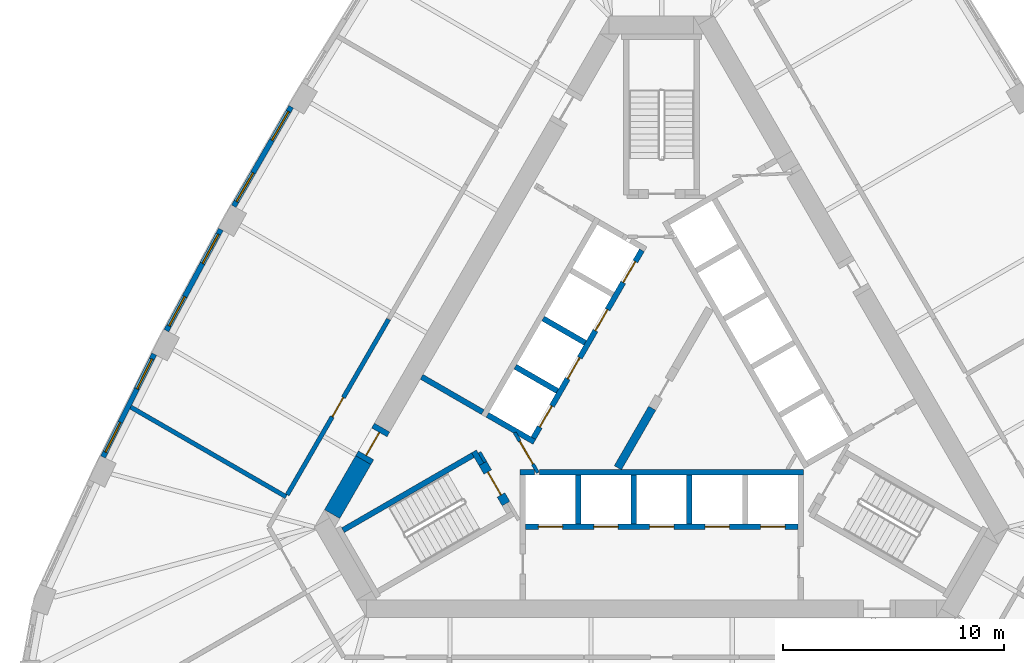
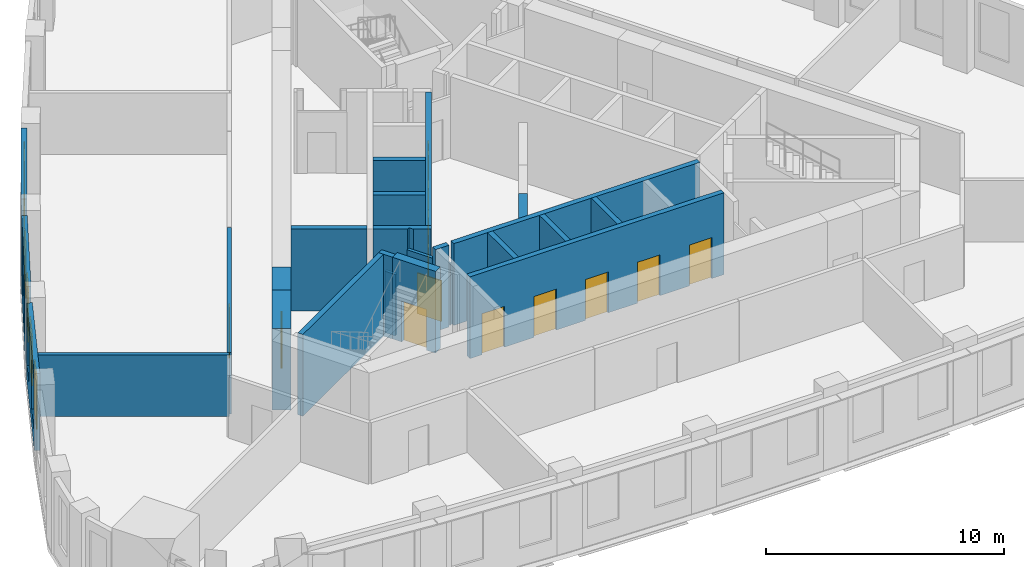
# One storey, part 4 of 9: 24 walls, 13 doors, 6 windows, 19 openings.
"""IFC4 building model written with IfcOpenShell, lengths in metres."""

from ifc_helpers import new_model, si_unit, direction, frame, frame_2d, origin, place, context, subcontext, project, spatial, polyline, rectangle, outline, extrude, material, layer, layer_set, type_object, element, fill, save


model = new_model("IFC4")

# Units and contexts
model_context = context("Model", 3, precision=1e-05, world=origin(), true_north=direction((0.0, 1.0)))
body_context = subcontext(model_context, "Body", "Model", "MODEL_VIEW")
ifc_project = project(units=[si_unit("LENGTHUNIT", "METRE"), si_unit("AREAUNIT", "SQUARE_METRE"), si_unit("VOLUMEUNIT", "CUBIC_METRE"), si_unit("PLANEANGLEUNIT", "RADIAN"), si_unit("MASSUNIT", "GRAM", prefix="KILO")], contexts=[model_context])

# Site, building, storey
site_placement = place(None, origin())
site = spatial("IfcSite", under=ifc_project, at=site_placement, CompositionType="ELEMENT")
building_placement = place(site_placement, origin())
building = spatial("IfcBuilding", under=site, at=building_placement, Name="Mestral Congress Tower", CompositionType="ELEMENT")
storey_placement = place(building_placement, frame((0.0, 0.0, 179.39990234375)))
storey = spatial("IfcBuildingStorey", under=building, at=storey_placement, Name="L42", CompositionType="ELEMENT", Elevation=179.39990234375)

# Walls
ifc_material_1 = material(Name="Fire-rated board partition")
ifc_layer_1 = layer(ifc_material_1, 0.14990234375)
ifc_layer_set_1 = layer_set([ifc_layer_1], Name="Fire-rated board partition")
wall_type_1 = type_object("IfcWallType", Name="Core partition 150", PredefinedType="PARTITIONING", material=ifc_layer_set_1)
wall_1_placement = place(storey_placement, frame((-8.251953125, -2.958251953125, 0.0), z_axis=(0.0, 0.0, 1.0), x_axis=(0.500174715838, -0.865924508047, 0.0)))
element("IfcWall", 1, at=wall_1_placement, inside=storey, type_object=wall_type_1, Name="L42 core wall", PredefinedType="PARTITIONING", context=body_context, shape_type="SweptSolid", body=[
    extrude(rectangle(XDim=0.513916015625, YDim=0.14990234375, at=frame_2d((0.2568359375, 0.0))), origin(), (0.0, 0.0, 1.0), 3.150146484375),
])
placement = place(storey_placement, origin())
element("IfcWall", 2, at=placement, inside=storey, type_object=wall_type_1, Name="L42 core wall", PredefinedType="PARTITIONING", context=body_context, shape_type="SweptSolid", body=[
    extrude(outline(polyline([(-0.590087890625, -0.871826171875), (-0.26513671875, -1.059326171875), (-1.822021484375, -3.755615234375), (-2.146728515625, -3.568115234375), (-0.590087890625, -0.871826171875)])), origin(), (0.0, 0.0, 1.0), 3.150146484375),
])

# Wall, opening, door
wall_3_placement = place(storey_placement, frame((-5.606201171875, -3.8896484375, 0.0), z_axis=(0.0, 0.0, 1.0), x_axis=(-0.500027713859, 0.866009402589, 0.0)))
wall_3 = element("IfcWall", 3, at=wall_3_placement, inside=storey, type_object=wall_type_1, Name="L42 door wall", PredefinedType="PARTITIONING", context=body_context, shape_type="SweptSolid", body=[
    extrude(rectangle(XDim=2.10009765625, YDim=0.14990234375, at=frame_2d((1.050048828125, 0.0))), origin(), (0.0, 0.0, 1.0), 3.150146484375),
])
opening_1_placement = place(wall_3_placement, frame((0.449951171875, 0.0, 0.0)))
opening_1 = element("IfcOpeningElement", 4, at=opening_1_placement, cuts=wall_3, Name="Opening CD3-FF", PredefinedType="OPENING", context=body_context, shape_type="SweptSolid", body=[
    extrude(rectangle(XDim=1.199951171875, YDim=2.10009765625, at=frame_2d((0.60009765625, 1.050048828125))), frame((0.0, 0.0849609375, 0.0), z_axis=(0.0, -1.0, 0.0), x_axis=(1.0, 0.0, 0.0)), (0.0, 0.0, 1.0), 0.169921875),
])
ifc_material_2 = material(Name="Fire-rated steel door set", Category="steel")
door_type_1 = type_object("IfcDoorType", Name="Core door CD 1200x2100", OperationType="SINGLE_SWING_LEFT", PredefinedType="DOOR", material=ifc_material_2)
door_1_placement = place(opening_1_placement, origin())
door_1 = element("IfcDoor", 5, at=door_1_placement, inside=storey, type_object=door_type_1, Name="Door CD3-FF", OperationType="SINGLE_SWING_LEFT", OverallHeight=2.10009765625, OverallWidth=1.199951171875, PredefinedType="DOOR", context=body_context, shape_type="SweptSolid", body=[
    extrude(rectangle(XDim=1.199951171875, YDim=2.10009765625, at=frame_2d((0.60009765625, 1.050048828125))), frame((0.0, 0.02490234375, 0.0), z_axis=(0.0, -1.0, 0.0), x_axis=(1.0, 0.0, 0.0)), (0.0, 0.0, 1.0), 0.050048828125),
])
fill(opening_1, door_1)

# Wall
ifc_material_3 = material(Name="Concrete C60/75", Category="concrete")
ifc_layer_2 = layer(ifc_material_3, 0.800048828125)
ifc_layer_set_2 = layer_set([ifc_layer_2], Name="Concrete C60/75")
wall_type_2 = type_object("IfcWallType", Name="Core wall RC 800", PredefinedType="SOLIDWALL", material=ifc_layer_set_2)
wall_4_placement = place(storey_placement, frame((-13.518310546875, -3.314208984375, 0.0), z_axis=(0.0, 0.0, 1.0), x_axis=(-0.499969377405, -0.866043083026, 0.0)))
element("IfcWall", 6, at=wall_4_placement, inside=storey, type_object=wall_type_2, Name="L42 core wall", PredefinedType="SOLIDWALL", context=body_context, shape_type="SweptSolid", body=[
    extrude(rectangle(XDim=2.824462890625, YDim=0.800048828125, at=frame_2d((1.412109375, 0.0))), origin(), (0.0, 0.0, 1.0), 4.2001953125),
])

# Wall, opening, door
wall_5_placement = place(storey_placement, frame((-13.518310546875, -3.314208984375, 0.0), z_axis=(0.0, 0.0, 1.0), x_axis=(0.500000056704, 0.866025371046, 0.0)))
wall_5 = element("IfcWall", 7, at=wall_5_placement, inside=storey, type_object=wall_type_2, Name="L42 door wall", PredefinedType="SOLIDWALL", context=body_context, shape_type="SweptSolid", body=[
    extrude(rectangle(XDim=1.7001953125, YDim=0.800048828125, at=frame_2d((0.85009765625, 0.0))), origin(), (0.0, 0.0, 1.0), 4.2001953125),
])
opening_2_placement = place(wall_5_placement, frame((0.25, 0.0, 0.0)))
opening_2 = element("IfcOpeningElement", 8, at=opening_2_placement, cuts=wall_5, Name="Opening XD3", PredefinedType="OPENING", context=body_context, shape_type="SweptSolid", body=[
    extrude(rectangle(XDim=1.199951171875, YDim=2.10009765625, at=frame_2d((0.60009765625, 1.050048828125))), frame((0.0, 0.409912109375, 0.0), z_axis=(0.0, -1.0, 0.0), x_axis=(1.0, 0.0, 0.0)), (0.0, 0.0, 1.0), 0.820068359375),
])
door_type_2 = type_object("IfcDoorType", Name="Core door XD 1200x2100", OperationType="SINGLE_SWING_LEFT", PredefinedType="DOOR", material=ifc_material_2)
door_2_placement = place(opening_2_placement, origin())
door_2 = element("IfcDoor", 9, at=door_2_placement, inside=storey, type_object=door_type_2, Name="Door XD3", OperationType="SINGLE_SWING_LEFT", OverallHeight=2.10009765625, OverallWidth=1.199951171875, PredefinedType="DOOR", context=body_context, shape_type="SweptSolid", body=[
    extrude(rectangle(XDim=1.199951171875, YDim=2.10009765625, at=frame_2d((0.60009765625, 1.050048828125))), frame((0.0, 0.02490234375, 0.0), z_axis=(0.0, -1.0, 0.0), x_axis=(1.0, 0.0, 0.0)), (0.0, 0.0, 1.0), 0.050048828125),
])
fill(opening_2, door_2)

# Wall, openings, windows
ifc_material_4 = material(Name="Precast concrete C40/50 with limestone facing", Category="masonry")
ifc_layer_3 = layer(ifc_material_4, 0.239990234375)
ifc_layer_set_3 = layer_set([ifc_layer_3], Name="Precast concrete C40/50 with limestone facing")
wall_type_3 = type_object("IfcWallType", Name="Facade stone wall 240", PredefinedType="SOLIDWALL", material=ifc_layer_set_3)
wall_6_placement = place(storey_placement, frame((-16.788818359375, 12.697265625, 0.0), z_axis=(0.0, 0.0, 1.0), x_axis=(-0.500009456303, -0.866019944116, 0.0)))
wall_6 = element("IfcWall", 10, at=wall_6_placement, inside=storey, type_object=wall_type_3, Name="Facade wall F2-03", PredefinedType="SOLIDWALL", context=body_context, shape_type="SweptSolid", body=[
    extrude(rectangle(XDim=5.20361328125, YDim=0.239990234375, at=frame_2d((2.601806640625, 0.0))), origin(), (0.0, 0.0, 1.0), 3.9501953125),
])
opening_3_placement = place(wall_6_placement, frame((0.248291015625, 0.0, 0.89990234375)))
opening_3 = element("IfcOpeningElement", 11, at=opening_3_placement, cuts=wall_6, Name="Opening W4", PredefinedType="OPENING", context=body_context, shape_type="SweptSolid", body=[
    extrude(rectangle(XDim=1.5, YDim=2.550048828125, at=frame_2d((0.75, 1.27490234375))), frame((0.0, 0.1298828125, 0.0), z_axis=(0.0, -1.0, 0.0), x_axis=(1.0, 0.0, 0.0)), (0.0, 0.0, 1.0), 0.260009765625),
])
opening_4_placement = place(wall_6_placement, frame((3.455078125, 0.0, 0.89990234375)))
opening_4 = element("IfcOpeningElement", 12, at=opening_4_placement, cuts=wall_6, Name="Opening W4", PredefinedType="OPENING", context=body_context, shape_type="SweptSolid", body=[
    extrude(rectangle(XDim=1.5, YDim=2.550048828125, at=frame_2d((0.75, 1.27490234375))), frame((0.0, 0.1298828125, 0.0), z_axis=(0.0, -1.0, 0.0), x_axis=(1.0, 0.0, 0.0)), (0.0, 0.0, 1.0), 0.260009765625),
])
ifc_material_5 = material(Name="Clear low-emissivity double glazing", Category="glass")
window_type = type_object("IfcWindowType", Name="Facade punched window 1500 x 2550 sill 900", PartitioningType="SINGLE_PANEL", PredefinedType="WINDOW", material=ifc_material_5)
window_1_placement = place(opening_3_placement, origin())
window_1 = element("IfcWindow", 13, at=window_1_placement, inside=storey, type_object=window_type, Name="Window F2-03a", OverallHeight=2.550048828125, OverallWidth=1.5, PartitioningType="SINGLE_PANEL", PredefinedType="WINDOW", context=body_context, shape_type="SweptSolid", body=[
    extrude(rectangle(XDim=1.5, YDim=2.550048828125, at=frame_2d((0.75, 1.27490234375))), frame((0.0, 0.0400390625, 0.0), z_axis=(0.0, -1.0, 0.0), x_axis=(1.0, 0.0, 0.0)), (0.0, 0.0, 1.0), 0.06005859375),
])
fill(opening_3, window_1)
window_2_placement = place(opening_4_placement, origin())
window_2 = element("IfcWindow", 14, at=window_2_placement, inside=storey, type_object=window_type, Name="Window F2-03b", OverallHeight=2.550048828125, OverallWidth=1.5, PartitioningType="SINGLE_PANEL", PredefinedType="WINDOW", context=body_context, shape_type="SweptSolid", body=[
    extrude(rectangle(XDim=1.5, YDim=2.550048828125, at=frame_2d((0.75, 1.27490234375))), frame((0.0, 0.0400390625, 0.0), z_axis=(0.0, -1.0, 0.0), x_axis=(1.0, 0.0, 0.0)), (0.0, 0.0, 1.0), 0.06005859375),
])
fill(opening_4, window_2)

wall_7_placement = place(storey_placement, frame((-19.976806640625, 7.138671875, 0.0), z_axis=(0.0, 0.0, 1.0), x_axis=(-0.473349833294, -0.880874528704, 0.0)))
wall_7 = element("IfcWall", 15, at=wall_7_placement, inside=storey, type_object=wall_type_3, Name="Facade wall F2-04", PredefinedType="SOLIDWALL", context=body_context, shape_type="SweptSolid", body=[
    extrude(rectangle(XDim=5.20361328125, YDim=0.239990234375, at=frame_2d((2.601806640625, 0.0))), origin(), (0.0, 0.0, 1.0), 3.9501953125),
])
opening_5_placement = place(wall_7_placement, frame((0.248291015625, 0.0, 0.89990234375)))
opening_5 = element("IfcOpeningElement", 16, at=opening_5_placement, cuts=wall_7, Name="Opening W4", PredefinedType="OPENING", context=body_context, shape_type="SweptSolid", body=[
    extrude(rectangle(XDim=1.5, YDim=2.550048828125, at=frame_2d((0.75, 1.27490234375))), frame((0.0, 0.1298828125, 0.0), z_axis=(0.0, -1.0, 0.0), x_axis=(1.0, 0.0, 0.0)), (0.0, 0.0, 1.0), 0.260009765625),
])
opening_6_placement = place(wall_7_placement, frame((3.455078125, 0.0, 0.89990234375)))
opening_6 = element("IfcOpeningElement", 17, at=opening_6_placement, cuts=wall_7, Name="Opening W4", PredefinedType="OPENING", context=body_context, shape_type="SweptSolid", body=[
    extrude(rectangle(XDim=1.5, YDim=2.550048828125, at=frame_2d((0.75, 1.27490234375))), frame((0.0, 0.1298828125, 0.0), z_axis=(0.0, -1.0, 0.0), x_axis=(1.0, 0.0, 0.0)), (0.0, 0.0, 1.0), 0.260009765625),
])
window_3_placement = place(opening_5_placement, origin())
window_3 = element("IfcWindow", 18, at=window_3_placement, inside=storey, type_object=window_type, Name="Window F2-04a", OverallHeight=2.550048828125, OverallWidth=1.5, PartitioningType="SINGLE_PANEL", PredefinedType="WINDOW", context=body_context, shape_type="SweptSolid", body=[
    extrude(rectangle(XDim=1.5, YDim=2.550048828125, at=frame_2d((0.75, 1.27490234375))), frame((0.0, 0.0400390625, 0.0), z_axis=(0.0, -1.0, 0.0), x_axis=(1.0, 0.0, 0.0)), (0.0, 0.0, 1.0), 0.06005859375),
])
fill(opening_5, window_3)
window_4_placement = place(opening_6_placement, origin())
window_4 = element("IfcWindow", 19, at=window_4_placement, inside=storey, type_object=window_type, Name="Window F2-04b", OverallHeight=2.550048828125, OverallWidth=1.5, PartitioningType="SINGLE_PANEL", PredefinedType="WINDOW", context=body_context, shape_type="SweptSolid", body=[
    extrude(rectangle(XDim=1.5, YDim=2.550048828125, at=frame_2d((0.75, 1.27490234375))), frame((0.0, 0.0400390625, 0.0), z_axis=(0.0, -1.0, 0.0), x_axis=(1.0, 0.0, 0.0)), (0.0, 0.0, 1.0), 0.06005859375),
])
fill(opening_6, window_4)

wall_8_placement = place(storey_placement, frame((-22.993896484375, 1.485107421875, 0.0), z_axis=(0.0, 0.0, 1.0), x_axis=(-0.446256171312, -0.8949052629, 0.0)))
wall_8 = element("IfcWall", 20, at=wall_8_placement, inside=storey, type_object=wall_type_3, Name="Facade wall F2-05", PredefinedType="SOLIDWALL", context=body_context, shape_type="SweptSolid", body=[
    extrude(rectangle(XDim=5.203369140625, YDim=0.239990234375, at=frame_2d((2.6015625, 0.0))), origin(), (0.0, 0.0, 1.0), 3.9501953125),
])
opening_7_placement = place(wall_8_placement, frame((0.248291015625, 0.0, 0.89990234375)))
opening_7 = element("IfcOpeningElement", 21, at=opening_7_placement, cuts=wall_8, Name="Opening W4", PredefinedType="OPENING", context=body_context, shape_type="SweptSolid", body=[
    extrude(rectangle(XDim=1.5, YDim=2.550048828125, at=frame_2d((0.75, 1.27490234375))), frame((0.0, 0.1298828125, 0.0), z_axis=(0.0, -1.0, 0.0), x_axis=(1.0, 0.0, 0.0)), (0.0, 0.0, 1.0), 0.260009765625),
])
opening_8_placement = place(wall_8_placement, frame((3.455078125, 0.0, 0.89990234375)))
opening_8 = element("IfcOpeningElement", 22, at=opening_8_placement, cuts=wall_8, Name="Opening W4", PredefinedType="OPENING", context=body_context, shape_type="SweptSolid", body=[
    extrude(rectangle(XDim=1.5, YDim=2.550048828125, at=frame_2d((0.75, 1.27490234375))), frame((0.0, 0.1298828125, 0.0), z_axis=(0.0, -1.0, 0.0), x_axis=(1.0, 0.0, 0.0)), (0.0, 0.0, 1.0), 0.260009765625),
])
window_5_placement = place(opening_7_placement, origin())
window_5 = element("IfcWindow", 23, at=window_5_placement, inside=storey, type_object=window_type, Name="Window F2-05a", OverallHeight=2.550048828125, OverallWidth=1.5, PartitioningType="SINGLE_PANEL", PredefinedType="WINDOW", context=body_context, shape_type="SweptSolid", body=[
    extrude(rectangle(XDim=1.5, YDim=2.550048828125, at=frame_2d((0.75, 1.27490234375))), frame((0.0, 0.0400390625, 0.0), z_axis=(0.0, -1.0, 0.0), x_axis=(1.0, 0.0, 0.0)), (0.0, 0.0, 1.0), 0.06005859375),
])
fill(opening_7, window_5)
window_6_placement = place(opening_8_placement, origin())
window_6 = element("IfcWindow", 24, at=window_6_placement, inside=storey, type_object=window_type, Name="Window F2-05b", OverallHeight=2.550048828125, OverallWidth=1.5, PartitioningType="SINGLE_PANEL", PredefinedType="WINDOW", context=body_context, shape_type="SweptSolid", body=[
    extrude(rectangle(XDim=1.5, YDim=2.550048828125, at=frame_2d((0.75, 1.27490234375))), frame((0.0, 0.0400390625, 0.0), z_axis=(0.0, -1.0, 0.0), x_axis=(1.0, 0.0, 0.0)), (0.0, 0.0, 1.0), 0.06005859375),
])
fill(opening_8, window_6)

# Wall
ifc_material_6 = material(Name="Dense masonry wall, plastered", Category="masonry")
ifc_layer_4 = layer(ifc_material_6, 0.199951171875)
ifc_layer_set_4 = layer_set([ifc_layer_4], Name="Dense masonry wall, plastered")
wall_type_4 = type_object("IfcWallType", Name="Office tenancy wall 200", PredefinedType="PARTITIONING", material=ifc_layer_set_4)
wall_9_placement = place(storey_placement, frame((-17.017822265625, -4.9755859375, 0.0), z_axis=(0.0, 0.0, 1.0), x_axis=(-0.866034495264, 0.499984252764, 0.0)))
element("IfcWall", 25, at=wall_9_placement, inside=storey, type_object=wall_type_4, Name="Tenancy wall", PredefinedType="PARTITIONING", context=body_context, shape_type="SweptSolid", body=[
    extrude(rectangle(XDim=8.126220703125, YDim=0.199951171875, at=frame_2d((4.06298828125, 0.0))), origin(), (0.0, 0.0, 1.0), 3.150146484375),
])

# Wall, opening, door
wall_10_placement = place(storey_placement, frame((-12.373779296875, 3.06787109375, 0.0), z_axis=(0.0, 0.0, 1.0), x_axis=(-0.50000000053, -0.866025403479, 0.0)))
wall_10 = element("IfcWall", 26, at=wall_10_placement, inside=storey, type_object=wall_type_4, Name="Tenancy wall", PredefinedType="PARTITIONING", context=body_context, shape_type="SweptSolid", body=[
    extrude(rectangle(XDim=9.18798828125, YDim=0.199951171875, at=frame_2d((4.593994140625, 0.0))), origin(), (0.0, 0.0, 1.0), 3.150146484375),
])
opening_9_placement = place(wall_10_placement, frame((4.10009765625, 0.0, 0.0)))
opening_9 = element("IfcOpeningElement", 27, at=opening_9_placement, cuts=wall_10, Name="Opening O04-008", PredefinedType="OPENING", context=body_context, shape_type="SweptSolid", body=[
    extrude(rectangle(XDim=1.0, YDim=2.10009765625, at=frame_2d((0.5, 1.050048828125))), frame((0.0, 0.10986328125, 0.0), z_axis=(0.0, -1.0, 0.0), x_axis=(1.0, 0.0, 0.0)), (0.0, 0.0, 1.0), 0.219970703125),
])
ifc_material_7 = material(Name="Fire-rated timber door set", Category="wood")
door_type_3 = type_object("IfcDoorType", Name="Office tenancy entrance door 1000x2100", OperationType="SINGLE_SWING_LEFT", PredefinedType="DOOR", material=ifc_material_7)
door_3_placement = place(opening_9_placement, origin())
door_3 = element("IfcDoor", 28, at=door_3_placement, inside=storey, type_object=door_type_3, Name="Door O04-008", OperationType="SINGLE_SWING_RIGHT", OverallHeight=2.10009765625, OverallWidth=1.0, PredefinedType="DOOR", context=body_context, shape_type="SweptSolid", body=[
    extrude(rectangle(XDim=1.0, YDim=2.10009765625, at=frame_2d((0.5, 1.050048828125))), frame((0.0, 0.02490234375, 0.0), z_axis=(0.0, -1.0, 0.0), x_axis=(1.0, 0.0, 0.0)), (0.0, 0.0, 1.0), 0.050048828125),
])
fill(opening_9, door_3)

# Walls
ifc_layer_5 = layer(ifc_material_3, 0.25)
ifc_layer_set_5 = layer_set([ifc_layer_5], Name="Concrete C60/75")
wall_type_5 = type_object("IfcWallType", Name="Shaft wall RC 250", PredefinedType="SOLIDWALL", material=ifc_layer_set_5)
wall_11_placement = place(storey_placement, frame((-5.544921875, -3.875, 0.0), z_axis=(0.0, 0.0, 1.0), x_axis=(1.0, 0.0, 0.0)))
element("IfcWall", 29, at=wall_11_placement, inside=storey, type_object=wall_type_5, Name="L42 core wall", PredefinedType="SOLIDWALL", context=body_context, shape_type="SweptSolid", body=[
    extrude(rectangle(XDim=11.969970703125, YDim=0.25, at=frame_2d((5.98486328125, 0.0))), origin(), (0.0, 0.0, 1.0), 4.2001953125),
])
wall_12_placement = place(storey_placement, frame((-6.425048828125, -3.875, 0.0), z_axis=(0.0, 0.0, 1.0), x_axis=(1.0, 0.0, 0.0)))
element("IfcWall", 30, at=wall_12_placement, inside=storey, type_object=wall_type_5, Name="L42 core wall", PredefinedType="SOLIDWALL", context=body_context, shape_type="SweptSolid", body=[
    extrude(rectangle(XDim=0.657958984375, YDim=0.25, at=frame_2d((0.3291015625, 0.0))), origin(), (0.0, 0.0, 1.0), 4.2001953125),
])
for number, where, z_axis, x_axis, name in (
    (31, (1.260009765625, -4.0, 0.0), (0.0, 0.0, 1.0), (0.0, -1.0, 0.0), "L42 core wall"),
    (32, (-1.260009765625, -4.0, 0.0), (0.0, 0.0, 1.0), (0.0, -1.0, 0.0), "L42 core wall"),
    (33, (-3.780029296875, -4.0, 0.0), (0.0, 0.0, 1.0), (0.0, -1.0, 0.0), "L42 core wall"),
    (34, (-5.369384765625, 3.10009765625, 0.0), (0.0, 0.0, 1.0), (0.866008176907, -0.50002983664, 0.0), "L42 core wall"),
    (35, (-4.72412109375, -0.182373046875, 0.0), (0.0, 0.0, 1.0), (-0.866008176907, 0.50002983664, 0.0), "L42 core wall"),
):
    element("IfcWall", number, at=place(storey_placement, frame(where, z_axis=z_axis, x_axis=x_axis)), inside=storey, type_object=wall_type_5, Name=name, PredefinedType="SOLIDWALL", context=body_context, shape_type="SweptSolid", body=[
        extrude(rectangle(XDim=2.199951171875, YDim=0.25, at=frame_2d((1.10009765625, 0.0))), origin(), (0.0, 0.0, 1.0), 4.2001953125),
    ])
element("IfcWall", 36, at=placement, inside=storey, type_object=wall_type_5, Name="L42 core wall", PredefinedType="SOLIDWALL", context=body_context, shape_type="SweptSolid", body=[
    extrude(outline(polyline([(-5.921630859375, -2.256591796875), (-5.921630859375, -2.256591796875), (-5.705078125, -2.381591796875), (-5.830078125, -2.597900390625), (-6.48291015625, -2.22119140625), (-6.59130859375, -2.033447265625), (-6.59130859375, -2.033447265625), (-6.69970703125, -2.095947265625), (-7.951904296875, -1.373046875), (-7.826904296875, -1.156494140625), (-5.921630859375, -2.256591796875)])), origin(), (0.0, 0.0, 1.0), 4.2001953125),
])
wall_14_placement = place(storey_placement, frame((-8.10595703125, -1.139892578125, 0.0), z_axis=(0.0, 0.0, 1.0), x_axis=(-0.866008981251, 0.500028443584, 0.0)))
element("IfcWall", 37, at=wall_14_placement, inside=storey, type_object=wall_type_5, Name="L42 core wall", PredefinedType="SOLIDWALL", context=body_context, shape_type="SweptSolid", body=[
    extrude(rectangle(XDim=3.199951171875, YDim=0.25, at=frame_2d((1.60009765625, 0.0))), origin(), (0.0, 0.0, 1.0), 4.2001953125),
])

# Wall, openings, doors
wall_15_placement = place(storey_placement, frame((-6.175048828125, -6.324951171875, 0.0), z_axis=(0.0, 0.0, 1.0), x_axis=(1.0, 0.0, 0.0)))
wall_15 = element("IfcWall", 38, at=wall_15_placement, inside=storey, type_object=wall_type_5, Name="L42 door wall", PredefinedType="SOLIDWALL", context=body_context, shape_type="SweptSolid", body=[
    extrude(rectangle(XDim=12.35009765625, YDim=0.25, at=frame_2d((6.175048828125, 0.0))), origin(), (0.0, 0.0, 1.0), 4.2001953125),
])
opening_10_placement = place(wall_15_placement, frame((0.5849609375, 0.0, 0.0)))
opening_10 = element("IfcOpeningElement", 39, at=opening_10_placement, cuts=wall_15, Name="Opening LD-SOB1", PredefinedType="OPENING", context=body_context, shape_type="SweptSolid", body=[
    extrude(rectangle(XDim=1.10009765625, YDim=2.10009765625, at=frame_2d((0.550048828125, 1.050048828125))), frame((0.0, 0.135009765625, 0.0), z_axis=(0.0, -1.0, 0.0), x_axis=(1.0, 0.0, 0.0)), (0.0, 0.0, 1.0), 0.27001953125),
])
opening_11_placement = place(wall_15_placement, frame((3.10498046875, 0.0, 0.0)))
opening_11 = element("IfcOpeningElement", 40, at=opening_11_placement, cuts=wall_15, Name="Opening LD-SOB2", PredefinedType="OPENING", context=body_context, shape_type="SweptSolid", body=[
    extrude(rectangle(XDim=1.10009765625, YDim=2.10009765625, at=frame_2d((0.550048828125, 1.050048828125))), frame((0.0, 0.135009765625, 0.0), z_axis=(0.0, -1.0, 0.0), x_axis=(1.0, 0.0, 0.0)), (0.0, 0.0, 1.0), 0.27001953125),
])
opening_12_placement = place(wall_15_placement, frame((5.625, 0.0, 0.0)))
opening_12 = element("IfcOpeningElement", 41, at=opening_12_placement, cuts=wall_15, Name="Opening LD-SOB3", PredefinedType="OPENING", context=body_context, shape_type="SweptSolid", body=[
    extrude(rectangle(XDim=1.10009765625, YDim=2.10009765625, at=frame_2d((0.550048828125, 1.050048828125))), frame((0.0, 0.135009765625, 0.0), z_axis=(0.0, -1.0, 0.0), x_axis=(1.0, 0.0, 0.0)), (0.0, 0.0, 1.0), 0.27001953125),
])
opening_13_placement = place(wall_15_placement, frame((8.14501953125, 0.0, 0.0)))
opening_13 = element("IfcOpeningElement", 42, at=opening_13_placement, cuts=wall_15, Name="Opening LD-SOB4", PredefinedType="OPENING", context=body_context, shape_type="SweptSolid", body=[
    extrude(rectangle(XDim=1.10009765625, YDim=2.10009765625, at=frame_2d((0.550048828125, 1.050048828125))), frame((0.0, 0.135009765625, 0.0), z_axis=(0.0, -1.0, 0.0), x_axis=(1.0, 0.0, 0.0)), (0.0, 0.0, 1.0), 0.27001953125),
])
opening_14_placement = place(wall_15_placement, frame((10.6650390625, 0.0, 0.0)))
opening_14 = element("IfcOpeningElement", 43, at=opening_14_placement, cuts=wall_15, Name="Opening LD-SOB5", PredefinedType="OPENING", context=body_context, shape_type="SweptSolid", body=[
    extrude(rectangle(XDim=1.10009765625, YDim=2.10009765625, at=frame_2d((0.550048828125, 1.050048828125))), frame((0.0, 0.135009765625, 0.0), z_axis=(0.0, -1.0, 0.0), x_axis=(1.0, 0.0, 0.0)), (0.0, 0.0, 1.0), 0.27001953125),
])
door_type_4 = type_object("IfcDoorType", Name="Core door LD 1100x2100", OperationType="DOUBLE_DOOR_SLIDING", PredefinedType="DOOR", material=ifc_material_2)
door_4_placement = place(opening_10_placement, origin())
door_4 = element("IfcDoor", 44, at=door_4_placement, inside=storey, type_object=door_type_4, Name="Door LD-SOB1", OperationType="DOUBLE_DOOR_SLIDING", OverallHeight=2.10009765625, OverallWidth=1.10009765625, PredefinedType="DOOR", context=body_context, shape_type="SweptSolid", body=[
    extrude(rectangle(XDim=1.10009765625, YDim=2.10009765625, at=frame_2d((0.550048828125, 1.050048828125))), frame((0.0, 0.02490234375, 0.0), z_axis=(0.0, -1.0, 0.0), x_axis=(1.0, 0.0, 0.0)), (0.0, 0.0, 1.0), 0.050048828125),
])
fill(opening_10, door_4)
door_5_placement = place(opening_11_placement, origin())
door_5 = element("IfcDoor", 45, at=door_5_placement, inside=storey, type_object=door_type_4, Name="Door LD-SOB2", OperationType="DOUBLE_DOOR_SLIDING", OverallHeight=2.10009765625, OverallWidth=1.10009765625, PredefinedType="DOOR", context=body_context, shape_type="SweptSolid", body=[
    extrude(rectangle(XDim=1.10009765625, YDim=2.10009765625, at=frame_2d((0.550048828125, 1.050048828125))), frame((0.0, 0.02490234375, 0.0), z_axis=(0.0, -1.0, 0.0), x_axis=(1.0, 0.0, 0.0)), (0.0, 0.0, 1.0), 0.050048828125),
])
fill(opening_11, door_5)
door_6_placement = place(opening_12_placement, origin())
door_6 = element("IfcDoor", 46, at=door_6_placement, inside=storey, type_object=door_type_4, Name="Door LD-SOB3", OperationType="DOUBLE_DOOR_SLIDING", OverallHeight=2.10009765625, OverallWidth=1.10009765625, PredefinedType="DOOR", context=body_context, shape_type="SweptSolid", body=[
    extrude(rectangle(XDim=1.10009765625, YDim=2.10009765625, at=frame_2d((0.550048828125, 1.050048828125))), frame((0.0, 0.02490234375, 0.0), z_axis=(0.0, -1.0, 0.0), x_axis=(1.0, 0.0, 0.0)), (0.0, 0.0, 1.0), 0.050048828125),
])
fill(opening_12, door_6)
door_7_placement = place(opening_13_placement, origin())
door_7 = element("IfcDoor", 47, at=door_7_placement, inside=storey, type_object=door_type_4, Name="Door LD-SOB4", OperationType="DOUBLE_DOOR_SLIDING", OverallHeight=2.10009765625, OverallWidth=1.10009765625, PredefinedType="DOOR", context=body_context, shape_type="SweptSolid", body=[
    extrude(rectangle(XDim=1.10009765625, YDim=2.10009765625, at=frame_2d((0.550048828125, 1.050048828125))), frame((0.0, 0.02490234375, 0.0), z_axis=(0.0, -1.0, 0.0), x_axis=(1.0, 0.0, 0.0)), (0.0, 0.0, 1.0), 0.050048828125),
])
fill(opening_13, door_7)
door_8_placement = place(opening_14_placement, origin())
door_8 = element("IfcDoor", 48, at=door_8_placement, inside=storey, type_object=door_type_4, Name="Door LD-SOB5", OperationType="DOUBLE_DOOR_SLIDING", OverallHeight=2.10009765625, OverallWidth=1.10009765625, PredefinedType="DOOR", context=body_context, shape_type="SweptSolid", body=[
    extrude(rectangle(XDim=1.10009765625, YDim=2.10009765625, at=frame_2d((0.550048828125, 1.050048828125))), frame((0.0, 0.02490234375, 0.0), z_axis=(0.0, -1.0, 0.0), x_axis=(1.0, 0.0, 0.0)), (0.0, 0.0, 1.0), 0.050048828125),
])
fill(opening_14, door_8)

wall_16_placement = place(storey_placement, frame((-0.898193359375, 6.194091796875, 0.0), z_axis=(0.0, 0.0, 1.0), x_axis=(-0.499996202215, -0.866027596426, 0.0)))
wall_16 = element("IfcWall", 49, at=wall_16_placement, inside=storey, type_object=wall_type_5, Name="L42 door wall", PredefinedType="SOLIDWALL", context=body_context, shape_type="SweptSolid", body=[
    extrude(rectangle(XDim=9.830078125, YDim=0.25, at=frame_2d((4.9150390625, 0.0))), origin(), (0.0, 0.0, 1.0), 4.2001953125),
])
opening_15_placement = place(wall_16_placement, frame((0.5849609375, 0.0, 0.0)))
opening_15 = element("IfcOpeningElement", 50, at=opening_15_placement, cuts=wall_16, Name="Opening LD-NWB1", PredefinedType="OPENING", context=body_context, shape_type="SweptSolid", body=[
    extrude(rectangle(XDim=1.10009765625, YDim=2.10009765625, at=frame_2d((0.550048828125, 1.050048828125))), frame((0.0, 0.135009765625, 0.0), z_axis=(0.0, -1.0, 0.0), x_axis=(1.0, 0.0, 0.0)), (0.0, 0.0, 1.0), 0.27001953125),
])
opening_16_placement = place(wall_16_placement, frame((3.10498046875, 0.0, 0.0)))
opening_16 = element("IfcOpeningElement", 51, at=opening_16_placement, cuts=wall_16, Name="Opening LD-NWB2", PredefinedType="OPENING", context=body_context, shape_type="SweptSolid", body=[
    extrude(rectangle(XDim=1.10009765625, YDim=2.10009765625, at=frame_2d((0.550048828125, 1.050048828125))), frame((0.0, 0.135009765625, 0.0), z_axis=(0.0, -1.0, 0.0), x_axis=(1.0, 0.0, 0.0)), (0.0, 0.0, 1.0), 0.27001953125),
])
opening_17_placement = place(wall_16_placement, frame((5.625, 0.0, 0.0)))
opening_17 = element("IfcOpeningElement", 52, at=opening_17_placement, cuts=wall_16, Name="Opening LD-NWB3", PredefinedType="OPENING", context=body_context, shape_type="SweptSolid", body=[
    extrude(rectangle(XDim=1.10009765625, YDim=2.10009765625, at=frame_2d((0.550048828125, 1.050048828125))), frame((0.0, 0.135009765625, 0.0), z_axis=(0.0, -1.0, 0.0), x_axis=(1.0, 0.0, 0.0)), (0.0, 0.0, 1.0), 0.27001953125),
])
opening_18_placement = place(wall_16_placement, frame((8.14501953125, 0.0, 0.0)))
opening_18 = element("IfcOpeningElement", 53, at=opening_18_placement, cuts=wall_16, Name="Opening LD-NWB4", PredefinedType="OPENING", context=body_context, shape_type="SweptSolid", body=[
    extrude(rectangle(XDim=1.10009765625, YDim=2.10009765625, at=frame_2d((0.550048828125, 1.050048828125))), frame((0.0, 0.135009765625, 0.0), z_axis=(0.0, -1.0, 0.0), x_axis=(1.0, 0.0, 0.0)), (0.0, 0.0, 1.0), 0.27001953125),
])
door_9_placement = place(opening_15_placement, origin())
door_9 = element("IfcDoor", 54, at=door_9_placement, inside=storey, type_object=door_type_4, Name="Door LD-NWB1", OperationType="DOUBLE_DOOR_SLIDING", OverallHeight=2.10009765625, OverallWidth=1.10009765625, PredefinedType="DOOR", context=body_context, shape_type="SweptSolid", body=[
    extrude(rectangle(XDim=1.10009765625, YDim=2.10009765625, at=frame_2d((0.550048828125, 1.050048828125))), frame((0.0, 0.02490234375, 0.0), z_axis=(0.0, -1.0, 0.0), x_axis=(1.0, 0.0, 0.0)), (0.0, 0.0, 1.0), 0.050048828125),
])
fill(opening_15, door_9)
door_10_placement = place(opening_16_placement, origin())
door_10 = element("IfcDoor", 55, at=door_10_placement, inside=storey, type_object=door_type_4, Name="Door LD-NWB2", OperationType="DOUBLE_DOOR_SLIDING", OverallHeight=2.10009765625, OverallWidth=1.10009765625, PredefinedType="DOOR", context=body_context, shape_type="SweptSolid", body=[
    extrude(rectangle(XDim=1.10009765625, YDim=2.10009765625, at=frame_2d((0.550048828125, 1.050048828125))), frame((0.0, 0.02490234375, 0.0), z_axis=(0.0, -1.0, 0.0), x_axis=(1.0, 0.0, 0.0)), (0.0, 0.0, 1.0), 0.050048828125),
])
fill(opening_16, door_10)
door_11_placement = place(opening_17_placement, origin())
door_11 = element("IfcDoor", 56, at=door_11_placement, inside=storey, type_object=door_type_4, Name="Door LD-NWB3", OperationType="DOUBLE_DOOR_SLIDING", OverallHeight=2.10009765625, OverallWidth=1.10009765625, PredefinedType="DOOR", context=body_context, shape_type="SweptSolid", body=[
    extrude(rectangle(XDim=1.10009765625, YDim=2.10009765625, at=frame_2d((0.550048828125, 1.050048828125))), frame((0.0, 0.02490234375, 0.0), z_axis=(0.0, -1.0, 0.0), x_axis=(1.0, 0.0, 0.0)), (0.0, 0.0, 1.0), 0.050048828125),
])
fill(opening_17, door_11)
door_12_placement = place(opening_18_placement, origin())
door_12 = element("IfcDoor", 57, at=door_12_placement, inside=storey, type_object=door_type_4, Name="Door LD-NWB4", OperationType="DOUBLE_DOOR_SLIDING", OverallHeight=2.10009765625, OverallWidth=1.10009765625, PredefinedType="DOOR", context=body_context, shape_type="SweptSolid", body=[
    extrude(rectangle(XDim=1.10009765625, YDim=2.10009765625, at=frame_2d((0.550048828125, 1.050048828125))), frame((0.0, 0.02490234375, 0.0), z_axis=(0.0, -1.0, 0.0), x_axis=(1.0, 0.0, 0.0)), (0.0, 0.0, 1.0), 0.050048828125),
])
fill(opening_18, door_12)

# Walls
ifc_layer_6 = layer(ifc_material_3, 0.25)
ifc_layer_set_6 = layer_set([ifc_layer_6], Name="Concrete C60/75")
wall_type_6 = type_object("IfcWallType", Name="Stair wall RC 250", PredefinedType="SOLIDWALL", material=ifc_layer_set_6)
wall_17_placement = place(storey_placement, frame((-14.43994140625, -6.489501953125, 0.0), z_axis=(0.0, 0.0, 1.0), x_axis=(0.866022966069, 0.500004222222, 0.0)))
element("IfcWall", 58, at=wall_17_placement, inside=storey, type_object=wall_type_6, Name="L42 core wall", PredefinedType="SOLIDWALL", context=body_context, shape_type="SweptSolid", body=[
    extrude(rectangle(XDim=6.80029296875, YDim=0.25, at=frame_2d((3.400146484375, 0.0))), origin(), (0.0, 0.0, 1.0), 4.2001953125),
])
wall_18_placement = place(storey_placement, frame((-8.167724609375, -3.503173828125, 0.0), z_axis=(0.0, 0.0, 1.0), x_axis=(-0.499952099219, 0.866053057547, 0.0)))
element("IfcWall", 59, at=wall_18_placement, inside=storey, type_object=wall_type_6, Name="L42 core wall", PredefinedType="SOLIDWALL", context=body_context, shape_type="SweptSolid", body=[
    extrude(rectangle(XDim=0.6748046875, YDim=0.25, at=frame_2d((0.33740234375, 0.0))), origin(), (0.0, 0.0, 1.0), 4.2001953125),
])

# Wall, opening, door
ifc_layer_7 = layer(ifc_material_3, 0.39990234375)
ifc_layer_set_7 = layer_set([ifc_layer_7], Name="Concrete C60/75")
wall_type_7 = type_object("IfcWallType", Name="Stair wall RC 250 door-wall 400", PredefinedType="SOLIDWALL", material=ifc_layer_set_7)
wall_19_placement = place(storey_placement, frame((-8.102783203125, -3.4658203125, 0.0), z_axis=(0.0, 0.0, 1.0), x_axis=(0.500078061341, -0.865980330357, 0.0)))
wall_19 = element("IfcWall", 60, at=wall_19_placement, inside=storey, type_object=wall_type_7, Name="L42 door wall", PredefinedType="SOLIDWALL", context=body_context, shape_type="SweptSolid", body=[
    extrude(rectangle(XDim=2.099853515625, YDim=0.39990234375, at=frame_2d((1.0498046875, 0.0))), origin(), (0.0, 0.0, 1.0), 4.2001953125),
])
opening_19_placement = place(wall_19_placement, frame((0.449951171875, 0.0, 0.0)))
opening_19 = element("IfcOpeningElement", 61, at=opening_19_placement, cuts=wall_19, Name="Opening ST-D3", PredefinedType="OPENING", context=body_context, shape_type="SweptSolid", body=[
    extrude(rectangle(XDim=1.199951171875, YDim=2.10009765625, at=frame_2d((0.60009765625, 1.050048828125))), frame((0.0, 0.2099609375, 0.0), z_axis=(0.0, -1.0, 0.0), x_axis=(1.0, 0.0, 0.0)), (0.0, 0.0, 1.0), 0.419921875),
])
door_type_5 = type_object("IfcDoorType", Name="Core door ST 1200x2100", OperationType="SINGLE_SWING_LEFT", PredefinedType="DOOR", material=ifc_material_2)
door_13_placement = place(opening_19_placement, origin())
door_13 = element("IfcDoor", 62, at=door_13_placement, inside=storey, type_object=door_type_5, Name="Door ST-D3", OperationType="SINGLE_SWING_LEFT", OverallHeight=2.10009765625, OverallWidth=1.199951171875, PredefinedType="DOOR", context=body_context, shape_type="SweptSolid", body=[
    extrude(rectangle(XDim=1.199951171875, YDim=2.10009765625, at=frame_2d((0.60009765625, 1.050048828125))), frame((0.0, 0.02490234375, 0.0), z_axis=(0.0, -1.0, 0.0), x_axis=(1.0, 0.0, 0.0)), (0.0, 0.0, 1.0), 0.050048828125),
])
fill(opening_19, door_13)

save(model, "model.ifc")
